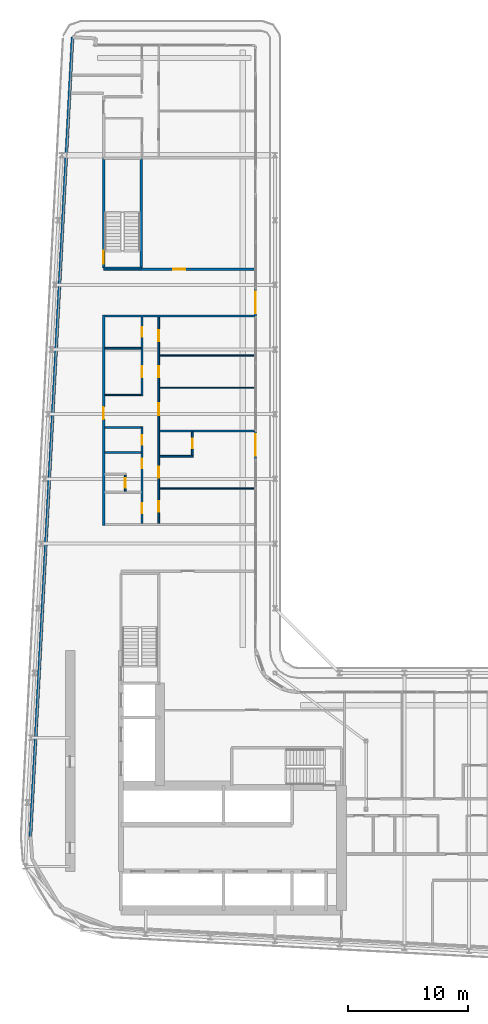
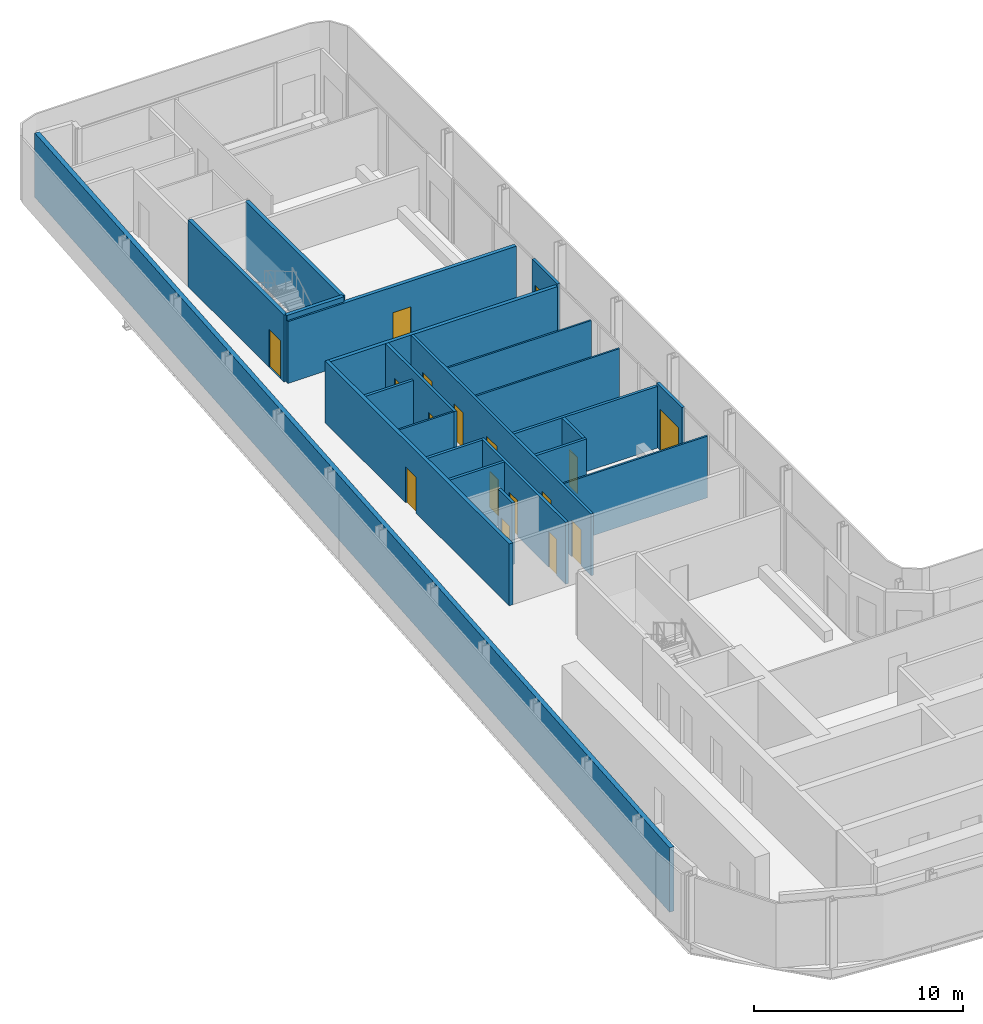
# One storey, part 18 of 28: 23 walls, 17 doors, 17 openings.
"""IFC4 building model written with IfcOpenShell, lengths in metres."""

from ifc_helpers import new_model, si_unit, direction, frame, frame_2d, origin, place, context, subcontext, project, spatial, rectangle, extrude, source, transform, mapped, material, layer, layer_set, type_object, element, fill, save


model = new_model("IFC4")

# Units and contexts
model_context = context("Model", 3, precision=1e-05, world=origin(), true_north=direction((0.0, 1.0)))
body_context = subcontext(model_context, "Body", "Model", "MODEL_VIEW")
ifc_project = project(units=[si_unit("LENGTHUNIT", "METRE"), si_unit("AREAUNIT", "SQUARE_METRE"), si_unit("VOLUMEUNIT", "CUBIC_METRE"), si_unit("PLANEANGLEUNIT", "RADIAN"), si_unit("MASSUNIT", "GRAM", prefix="KILO")], contexts=[model_context])

# Site, building, storey
site_placement = place(None, origin())
site = spatial("IfcSite", under=ifc_project, at=site_placement, CompositionType="ELEMENT")
building_placement = place(site_placement, origin())
building = spatial("IfcBuilding", under=site, at=building_placement, Name="Kheshtan School and Residences Tower", CompositionType="ELEMENT")
storey_placement = place(building_placement, frame((0.0, 0.0, 191.60009765625)))
storey = spatial("IfcBuildingStorey", under=building, at=storey_placement, Name="L45", CompositionType="ELEMENT", Elevation=191.60009765625)

# Wall, opening, door
ifc_material_1 = material(Name="Gypsum board on steel studs with fire boards", Category="steel")
ifc_layer_1 = layer(ifc_material_1, 0.199951171875)
ifc_layer_set_1 = layer_set([ifc_layer_1], Name="Corridor wall 200")
wall_type_1 = type_object("IfcWallType", Name="Corridor wall 200", PredefinedType="PARTITIONING", material=ifc_layer_set_1)
wall_1_placement = place(storey_placement, frame((33.300048828125, 57.89990234375, 0.0), z_axis=(0.0, 0.0, 1.0), x_axis=(0.0, 1.0, 0.0)))
wall_1 = element("IfcWall", 1, at=wall_1_placement, inside=storey, type_object=wall_type_1, Name="Partition L45-003", PredefinedType="PARTITIONING", context=body_context, shape_type="SweptSolid", body=[
    extrude(rectangle(XDim=17.60009765625, YDim=0.199951171875, at=frame_2d((8.800048828125, 0.0))), origin(), (0.0, 0.0, 1.0), 3.599853515625),
])
opening_1_placement = place(wall_1_placement, frame((8.89990234375, 0.0, 0.0)))
opening_1 = element("IfcOpeningElement", 2, at=opening_1_placement, cuts=wall_1, Name="Opening D43-039", PredefinedType="OPENING", context=body_context, shape_type="SweptSolid", body=[
    extrude(rectangle(XDim=1.0, YDim=2.10009765625, at=frame_2d((0.5, 1.050048828125))), frame((0.0, 0.10986328125, 0.0), z_axis=(0.0, -1.0, 0.0), x_axis=(1.0, 0.0, 0.0)), (0.0, 0.0, 1.0), 0.219970703125),
])
ifc_material_2 = material(Name="Steel-framed fire-resisting door leaf", Category="steel")
door_type_1 = type_object("IfcDoorType", Name="Fire door FD30S 1000 x 2100", OperationType="SINGLE_SWING_LEFT", PredefinedType="DOOR", material=ifc_material_2)
shared_shape_1 = source(origin(), body_context, "Body", "SweptSolid", [
    extrude(rectangle(XDim=1.0, YDim=2.10009765625, at=frame_2d((0.5, 1.050048828125))), frame((0.0, 0.02490234375, 0.0), z_axis=(0.0, -1.0, 0.0), x_axis=(1.0, 0.0, 0.0)), (0.0, 0.0, 1.0), 0.050048828125),
])
door_1_placement = place(opening_1_placement, origin())
door_1 = element("IfcDoor", 3, at=door_1_placement, inside=storey, type_object=door_type_1, Name="Door D43-039", OperationType="SINGLE_SWING_RIGHT", OverallHeight=2.10009765625, OverallWidth=1.0, PredefinedType="DOOR", context=body_context, shape_type="MappedRepresentation", body=[
    mapped(shared_shape_1, transform((0.0, 0.0, 0.0), x_axis=(1.0, 0.0, 0.0), y_axis=(0.0, 1.0, 0.0), z_axis=(0.0, 0.0, 1.0), scale=1.0)),
])
fill(opening_1, door_1)

wall_2_placement = place(storey_placement, frame((33.300048828125, 79.300048828125, 0.0), z_axis=(0.0, 0.0, 1.0), x_axis=(1.0, 0.0, 0.0)))
wall_2 = element("IfcWall", 4, at=wall_2_placement, inside=storey, type_object=wall_type_1, Name="Partition L45-004", PredefinedType="PARTITIONING", context=body_context, shape_type="SweptSolid", body=[
    extrude(rectangle(XDim=12.599853515625, YDim=0.199951171875, at=frame_2d((6.2998046875, 0.0))), origin(), (0.0, 0.0, 1.0), 3.599853515625),
])
opening_2_placement = place(wall_2_placement, frame((5.794921875, 0.0, 0.0)))
opening_2 = element("IfcOpeningElement", 5, at=opening_2_placement, cuts=wall_2, Name="Opening D43-056", PredefinedType="OPENING", context=body_context, shape_type="SweptSolid", body=[
    extrude(rectangle(XDim=1.0, YDim=2.10009765625, at=frame_2d((0.5, 1.050048828125))), frame((0.0, 0.10986328125, 0.0), z_axis=(0.0, -1.0, 0.0), x_axis=(1.0, 0.0, 0.0)), (0.0, 0.0, 1.0), 0.219970703125),
])
door_type_2 = type_object("IfcDoorType", Name="Fire door FD60 1000 x 2100", OperationType="SINGLE_SWING_LEFT", PredefinedType="DOOR", material=ifc_material_2)
shared_shape_2 = source(origin(), body_context, "Body", "SweptSolid", [
    extrude(rectangle(XDim=1.0, YDim=2.10009765625, at=frame_2d((0.5, 1.050048828125))), frame((0.0, 0.02490234375, 0.0), z_axis=(0.0, -1.0, 0.0), x_axis=(1.0, 0.0, 0.0)), (0.0, 0.0, 1.0), 0.050048828125),
])
door_2_placement = place(opening_2_placement, origin())
door_2 = element("IfcDoor", 6, at=door_2_placement, inside=storey, type_object=door_type_2, Name="Door D43-056", OperationType="SINGLE_SWING_RIGHT", OverallHeight=2.10009765625, OverallWidth=1.0, PredefinedType="DOOR", context=body_context, shape_type="MappedRepresentation", body=[
    mapped(shared_shape_2, transform((0.0, 0.0, 0.0), x_axis=(1.0, 0.0, 0.0), y_axis=(0.0, 1.0, 0.0), z_axis=(0.0, 0.0, 1.0), scale=1.0)),
])
fill(opening_2, door_2)

# Walls
wall_3_placement = place(storey_placement, frame((33.39990234375, 75.39990234375, 0.0), z_axis=(0.0, 0.0, 1.0), x_axis=(1.0, 0.0, 0.0)))
element("IfcWall", 7, at=wall_3_placement, inside=storey, type_object=wall_type_1, Name="Partition L45-013", PredefinedType="PARTITIONING", context=body_context, shape_type="SweptSolid", body=[
    extrude(rectangle(XDim=12.5, YDim=0.199951171875, at=frame_2d((6.25, 0.0))), origin(), (0.0, 0.0, 1.0), 3.599853515625),
])
ifc_material_3 = material(Name="Concrete C40/50 with ceramic cladding and mineral wool insulation", Category="concrete")
ifc_layer_2 = layer(ifc_material_3, 0.25)
ifc_layer_set_2 = layer_set([ifc_layer_2], Name="External wall 250 ceramic clad")
wall_type_2 = type_object("IfcWallType", Name="External wall 250 ceramic clad", PredefinedType="SOLIDWALL", material=ifc_layer_set_2)
wall_4_placement = place(storey_placement, frame((27.195068359375, 31.968994140625, 0.0), z_axis=(0.0, 0.0, 1.0), x_axis=(0.052554995867, 0.998618031286, 0.0)))
element("IfcWall", 8, at=wall_4_placement, inside=storey, type_object=wall_type_2, Name="External wall L45 4", PredefinedType="SOLIDWALL", context=body_context, shape_type="SweptSolid", body=[
    extrude(rectangle(XDim=66.787353515625, YDim=0.25, at=frame_2d((33.3935546875, 0.0))), origin(), (0.0, 0.0, 1.0), 3.75),
])

# Wall, opening, door
ifc_material_4 = material(Name="Aluminium frame wall with insulated infill", Category="aluminium")
ifc_layer_3 = layer(ifc_material_4, 0.14990234375)
ifc_layer_set_3 = layer_set([ifc_layer_3], Name="Glazing frame wall 150")
wall_type_3 = type_object("IfcWallType", Name="Glazing frame wall 150", PredefinedType="SOLIDWALL", material=ifc_layer_set_3)
wall_5_placement = place(storey_placement, frame((45.97509765625, 77.7119140625, 0.0), z_axis=(0.0, 0.0, 1.0), x_axis=(0.0, -1.0, 0.0)))
wall_5 = element("IfcWall", 9, at=wall_5_placement, inside=storey, type_object=wall_type_3, Name="Balcony door wall L45 8.3", PredefinedType="SOLIDWALL", context=body_context, shape_type="SweptSolid", body=[
    extrude(rectangle(XDim=2.39990234375, YDim=0.14990234375, at=frame_2d((1.199951171875, 0.0))), origin(), (0.0, 0.0, 1.0), 3.75),
])
opening_3_placement = place(wall_5_placement, frame((0.300048828125, 0.0, 0.0)))
opening_3 = element("IfcOpeningElement", 10, at=opening_3_placement, cuts=wall_5, Name="Opening BD", PredefinedType="OPENING", context=body_context, shape_type="SweptSolid", body=[
    extrude(rectangle(XDim=1.800048828125, YDim=2.39990234375, at=frame_2d((0.89990234375, 1.199951171875))), frame((0.0, 0.0849609375, 0.0), z_axis=(0.0, -1.0, 0.0), x_axis=(1.0, 0.0, 0.0)), (0.0, 0.0, 1.0), 0.169921875),
])
ifc_material_5 = material(Name="Clear low-e glass in thermally broken aluminium frame", Category="aluminium")
door_type_3 = type_object("IfcDoorType", Name="Balcony sliding door", OperationType="SLIDING_TO_LEFT", PredefinedType="DOOR", material=ifc_material_5)
shared_shape_3 = source(origin(), body_context, "Body", "SweptSolid", [
    extrude(rectangle(XDim=1.800048828125, YDim=2.39990234375, at=frame_2d((0.89990234375, 1.199951171875))), frame((0.0, 0.02490234375, 0.0), z_axis=(0.0, -1.0, 0.0), x_axis=(1.0, 0.0, 0.0)), (0.0, 0.0, 1.0), 0.050048828125),
])
door_3_placement = place(opening_3_placement, origin())
door_3 = element("IfcDoor", 11, at=door_3_placement, inside=storey, type_object=door_type_3, Name="Balcony door L45 8.3", OperationType="SLIDING_TO_LEFT", OverallHeight=2.39990234375, OverallWidth=1.800048828125, PredefinedType="DOOR", context=body_context, shape_type="MappedRepresentation", body=[
    mapped(shared_shape_3, transform((0.0, 0.0, 0.0), x_axis=(1.0, 0.0, 0.0), y_axis=(0.0, 1.0, 0.0), z_axis=(0.0, 0.0, 1.0), scale=1.0)),
])
fill(opening_3, door_3)

wall_6_placement = place(storey_placement, frame((45.97509765625, 65.818115234375, 0.0), z_axis=(0.0, 0.0, 1.0), x_axis=(0.0, -1.0, 0.0)))
wall_6 = element("IfcWall", 12, at=wall_6_placement, inside=storey, type_object=wall_type_3, Name="Balcony door wall L45 8.4", PredefinedType="SOLIDWALL", context=body_context, shape_type="SweptSolid", body=[
    extrude(rectangle(XDim=2.400146484375, YDim=0.14990234375, at=frame_2d((1.2001953125, 0.0))), origin(), (0.0, 0.0, 1.0), 3.75),
])
opening_4_placement = place(wall_6_placement, frame((0.300048828125, 0.0, 0.0)))
opening_4 = element("IfcOpeningElement", 13, at=opening_4_placement, cuts=wall_6, Name="Opening BD", PredefinedType="OPENING", context=body_context, shape_type="SweptSolid", body=[
    extrude(rectangle(XDim=1.800048828125, YDim=2.39990234375, at=frame_2d((0.89990234375, 1.199951171875))), frame((0.0, 0.0849609375, 0.0), z_axis=(0.0, -1.0, 0.0), x_axis=(1.0, 0.0, 0.0)), (0.0, 0.0, 1.0), 0.169921875),
])
door_4_placement = place(opening_4_placement, origin())
door_4 = element("IfcDoor", 14, at=door_4_placement, inside=storey, type_object=door_type_3, Name="Balcony door L45 8.4", OperationType="SLIDING_TO_LEFT", OverallHeight=2.39990234375, OverallWidth=1.800048828125, PredefinedType="DOOR", context=body_context, shape_type="MappedRepresentation", body=[
    mapped(shared_shape_3, transform((0.0, 0.0, 0.0), x_axis=(1.0, 0.0, 0.0), y_axis=(0.0, 1.0, 0.0), z_axis=(0.0, 0.0, 1.0), scale=1.0)),
])
fill(opening_4, door_4)

# Walls
ifc_material_6 = material(Name="Gypsum board on steel studs", Category="steel")
ifc_layer_4 = layer(ifc_material_6, 0.10009765625)
ifc_layer_set_4 = layer_set([ifc_layer_4], Name="Gypsum partition 100")
wall_type_4 = type_object("IfcWallType", Name="Gypsum partition 100", PredefinedType="PARTITIONING", material=ifc_layer_set_4)
wall_7_placement = place(storey_placement, frame((33.39990234375, 68.800048828125, 0.0), z_axis=(0.0, 0.0, 1.0), x_axis=(1.0, 0.0, 0.0)))
element("IfcWall", 15, at=wall_7_placement, inside=storey, type_object=wall_type_4, Name="Partition L45-011", PredefinedType="PARTITIONING", context=body_context, shape_type="SweptSolid", body=[
    extrude(rectangle(XDim=3.025146484375, YDim=0.10009765625, at=frame_2d((1.5126953125, 0.0))), origin(), (0.0, 0.0, 1.0), 3.599853515625),
])
for number, where, z_axis, x_axis, name in (
    (16, (37.97509765625, 61.0, 0.0), (0.0, 0.0, 1.0), (1.0, 0.0, 0.0), "Partition L45-026"),
    (17, (37.97509765625, 69.39990234375, 0.0), (0.0, 0.0, 1.0), (1.0, 0.0, 0.0), "Partition L45-029"),
    (18, (37.97509765625, 72.10009765625, 0.0), (0.0, 0.0, 1.0), (1.0, 0.0, 0.0), "Partition L45-030"),
):
    element("IfcWall", number, at=place(storey_placement, frame(where, z_axis=z_axis, x_axis=x_axis)), inside=storey, type_object=wall_type_4, Name=name, PredefinedType="PARTITIONING", context=body_context, shape_type="SweptSolid", body=[
        extrude(rectangle(XDim=7.9248046875, YDim=0.10009765625, at=frame_2d((3.96240234375, 0.0))), origin(), (0.0, 0.0, 1.0), 3.599853515625),
    ])
ifc_material_7 = material(Name="Concrete C40/50", Category="concrete")
ifc_layer_5 = layer(ifc_material_7, 0.199951171875)
ifc_layer_set_5 = layer_set([ifc_layer_5], Name="Stair enclosure wall 200 Concrete C40/50")
wall_type_5 = type_object("IfcWallType", Name="Stair enclosure wall 200 Concrete C40/50", PredefinedType="SHEAR", material=ifc_layer_set_5)
wall_8_placement = place(storey_placement, frame((33.300048828125, 79.39990234375, 0.0), z_axis=(0.0, 0.0, 1.0), x_axis=(1.0, 0.0, 0.0)))
element("IfcWall", 19, at=wall_8_placement, inside=storey, type_object=wall_type_5, Name="Stair enclosure wall ST3", PredefinedType="SHEAR", context=body_context, shape_type="SweptSolid", body=[
    extrude(rectangle(XDim=3.14990234375, YDim=0.199951171875, at=frame_2d((1.574951171875, 0.0))), origin(), (0.0, 0.0, 1.0), 3.89990234375),
])

# Wall, opening, door
wall_9_placement = place(storey_placement, frame((33.300048828125, 79.39990234375, 0.0), z_axis=(0.0, 0.0, 1.0), x_axis=(0.0, 1.0, 0.0)))
wall_9 = element("IfcWall", 20, at=wall_9_placement, inside=storey, type_object=wall_type_5, Name="Stair enclosure wall ST3", PredefinedType="SHEAR", context=body_context, shape_type="SweptSolid", body=[
    extrude(rectangle(XDim=9.16015625, YDim=0.199951171875, at=frame_2d((4.580078125, 0.0))), origin(), (0.0, 0.0, 1.0), 3.89990234375),
])
opening_5_placement = place(wall_9_placement, frame((0.35009765625, 0.0, 0.0)))
opening_5 = element("IfcOpeningElement", 21, at=opening_5_placement, cuts=wall_9, Name="Opening ST3D", PredefinedType="OPENING", context=body_context, shape_type="SweptSolid", body=[
    extrude(rectangle(XDim=1.10009765625, YDim=2.199951171875, at=frame_2d((0.550048828125, 1.10009765625))), frame((0.0, 0.10986328125, 0.0), z_axis=(0.0, -1.0, 0.0), x_axis=(1.0, 0.0, 0.0)), (0.0, 0.0, 1.0), 0.219970703125),
])
ifc_material_8 = material(Name="Steel door leaf, galvanised", Category="steel")
door_type_4 = type_object("IfcDoorType", Name="Stair door 1100 steel 90 min", OperationType="SINGLE_SWING_LEFT", PredefinedType="DOOR", material=ifc_material_8)
shared_shape_4 = source(origin(), body_context, "Body", "SweptSolid", [
    extrude(rectangle(XDim=1.10009765625, YDim=2.199951171875, at=frame_2d((0.550048828125, 1.10009765625))), frame((0.0, 0.02490234375, 0.0), z_axis=(0.0, -1.0, 0.0), x_axis=(1.0, 0.0, 0.0)), (0.0, 0.0, 1.0), 0.050048828125),
])
door_5_placement = place(opening_5_placement, origin())
door_5 = element("IfcDoor", 22, at=door_5_placement, inside=storey, type_object=door_type_4, Name="Stair ST3 door", OperationType="SINGLE_SWING_RIGHT", OverallHeight=2.199951171875, OverallWidth=1.10009765625, PredefinedType="DOOR", context=body_context, shape_type="MappedRepresentation", body=[
    mapped(shared_shape_4, transform((0.0, 0.0, 0.0), x_axis=(1.0, 0.0, 0.0), y_axis=(0.0, 1.0, 0.0), z_axis=(0.0, 0.0, 1.0), scale=1.0)),
])
fill(opening_5, door_5)

# Walls
wall_10_placement = place(storey_placement, frame((36.449951171875, 79.39990234375, 0.0), z_axis=(0.0, 0.0, 1.0), x_axis=(0.0, 1.0, 0.0)))
element("IfcWall", 23, at=wall_10_placement, inside=storey, type_object=wall_type_5, Name="Stair enclosure wall ST3", PredefinedType="SHEAR", context=body_context, shape_type="SweptSolid", body=[
    extrude(rectangle(XDim=9.16015625, YDim=0.199951171875, at=frame_2d((4.580078125, 0.0))), origin(), (0.0, 0.0, 1.0), 3.89990234375),
])
ifc_material_9 = material(Name="Moisture-resistant gypsum board on steel studs", Category="steel")
ifc_layer_6 = layer(ifc_material_9, 0.14990234375)
ifc_layer_set_6 = layer_set([ifc_layer_6], Name="Wet-room partition 150")
wall_type_6 = type_object("IfcWallType", Name="Wet-room partition 150", PredefinedType="PARTITIONING", material=ifc_layer_set_6)
for number, where, z_axis, x_axis, name in (
    (24, (33.39990234375, 64.0, 0.0), (0.0, 0.0, 1.0), (1.0, 0.0, 0.0), "Partition L45-009"),
    (25, (33.39990234375, 66.10009765625, 0.0), (0.0, 0.0, 1.0), (1.0, 0.0, 0.0), "Partition L45-010"),
):
    element("IfcWall", number, at=place(storey_placement, frame(where, z_axis=z_axis, x_axis=x_axis)), inside=storey, type_object=wall_type_6, Name=name, PredefinedType="PARTITIONING", context=body_context, shape_type="SweptSolid", body=[
        extrude(rectangle(XDim=3.025146484375, YDim=0.14990234375, at=frame_2d((1.5126953125, 0.0))), origin(), (0.0, 0.0, 1.0), 3.599853515625),
    ])
wall_11_placement = place(storey_placement, frame((33.39990234375, 72.699951171875, 0.0), z_axis=(0.0, 0.0, 1.0), x_axis=(1.0, 0.0, 0.0)))
element("IfcWall", 26, at=wall_11_placement, inside=storey, type_object=wall_type_6, Name="Partition L45-012", PredefinedType="PARTITIONING", context=body_context, shape_type="SweptSolid", body=[
    extrude(rectangle(XDim=3.025146484375, YDim=0.14990234375, at=frame_2d((1.5126953125, 0.0))), origin(), (0.0, 0.0, 1.0), 3.072021484375),
])

# Wall, opening, door
wall_12_placement = place(storey_placement, frame((35.10009765625, 60.77490234375, 0.0), z_axis=(0.0, 0.0, 1.0), x_axis=(0.0, 1.0, 0.0)))
wall_12 = element("IfcWall", 27, at=wall_12_placement, inside=storey, type_object=wall_type_6, Name="Partition L45-017", PredefinedType="PARTITIONING", context=body_context, shape_type="SweptSolid", body=[
    extrude(rectangle(XDim=1.35009765625, YDim=0.14990234375, at=frame_2d((0.675048828125, 0.0))), origin(), (0.0, 0.0, 1.0), 3.599853515625),
])
opening_6_placement = place(wall_12_placement, frame((0.27490234375, 0.0, 0.0)))
opening_6 = element("IfcOpeningElement", 28, at=opening_6_placement, cuts=wall_12, Name="Opening D43-043", PredefinedType="OPENING", context=body_context, shape_type="SweptSolid", body=[
    extrude(rectangle(XDim=0.800048828125, YDim=2.10009765625, at=frame_2d((0.39990234375, 1.050048828125))), frame((0.0, 0.0849609375, 0.0), z_axis=(0.0, -1.0, 0.0), x_axis=(1.0, 0.0, 0.0)), (0.0, 0.0, 1.0), 0.169921875),
])
ifc_material_10 = material(Name="Veneered timber door leaf", Category="wood")
door_type_5 = type_object("IfcDoorType", Name="Door 800 x 2100", OperationType="SINGLE_SWING_LEFT", PredefinedType="DOOR", material=ifc_material_10)
shared_shape_5 = source(origin(), body_context, "Body", "SweptSolid", [
    extrude(rectangle(XDim=0.800048828125, YDim=2.10009765625, at=frame_2d((0.39990234375, 1.050048828125))), frame((0.0, 0.02490234375, 0.0), z_axis=(0.0, -1.0, 0.0), x_axis=(1.0, 0.0, 0.0)), (0.0, 0.0, 1.0), 0.050048828125),
])
door_6_placement = place(opening_6_placement, origin())
door_6 = element("IfcDoor", 29, at=door_6_placement, inside=storey, type_object=door_type_5, Name="Door D43-043", OperationType="SINGLE_SWING_LEFT", OverallHeight=2.10009765625, OverallWidth=0.800048828125, PredefinedType="DOOR", context=body_context, shape_type="MappedRepresentation", body=[
    mapped(shared_shape_5, transform((0.0, 0.0, 0.0), x_axis=(1.0, 0.0, 0.0), y_axis=(0.0, 1.0, 0.0), z_axis=(0.0, 0.0, 1.0), scale=1.0)),
])
fill(opening_6, door_6)

# Wall, openings, doors
wall_13_placement = place(storey_placement, frame((36.5, 58.10009765625, 0.0), z_axis=(0.0, 0.0, 1.0), x_axis=(0.0, 1.0, 0.0)))
wall_13 = element("IfcWall", 30, at=wall_13_placement, inside=storey, type_object=wall_type_6, Name="Partition L45-019", PredefinedType="PARTITIONING", context=body_context, shape_type="SweptSolid", body=[
    extrude(rectangle(XDim=8.074951171875, YDim=0.14990234375, at=frame_2d((4.03759765625, 0.0))), origin(), (0.0, 0.0, 1.0), 3.599853515625),
])
opening_7_placement = place(wall_13_placement, frame((0.85009765625, 0.0, 0.0)))
opening_7 = element("IfcOpeningElement", 31, at=opening_7_placement, cuts=wall_13, Name="Opening D43-034", PredefinedType="OPENING", context=body_context, shape_type="SweptSolid", body=[
    extrude(rectangle(XDim=0.800048828125, YDim=2.10009765625, at=frame_2d((0.39990234375, 1.050048828125))), frame((0.0, 0.0849609375, 0.0), z_axis=(0.0, -1.0, 0.0), x_axis=(1.0, 0.0, 0.0)), (0.0, 0.0, 1.0), 0.169921875),
])
opening_8_placement = place(wall_13_placement, frame((4.60009765625, 0.0, 0.0)))
opening_8 = element("IfcOpeningElement", 32, at=opening_8_placement, cuts=wall_13, Name="Opening D43-042", PredefinedType="OPENING", context=body_context, shape_type="SweptSolid", body=[
    extrude(rectangle(XDim=0.800048828125, YDim=2.10009765625, at=frame_2d((0.39990234375, 1.050048828125))), frame((0.0, 0.0849609375, 0.0), z_axis=(0.0, -1.0, 0.0), x_axis=(1.0, 0.0, 0.0)), (0.0, 0.0, 1.0), 0.169921875),
])
opening_9_placement = place(wall_13_placement, frame((6.550048828125, 0.0, 0.0)))
opening_9 = element("IfcOpeningElement", 33, at=opening_9_placement, cuts=wall_13, Name="Opening D43-046", PredefinedType="OPENING", context=body_context, shape_type="SweptSolid", body=[
    extrude(rectangle(XDim=0.800048828125, YDim=2.10009765625, at=frame_2d((0.39990234375, 1.050048828125))), frame((0.0, 0.0849609375, 0.0), z_axis=(0.0, -1.0, 0.0), x_axis=(1.0, 0.0, 0.0)), (0.0, 0.0, 1.0), 0.169921875),
])
door_7_placement = place(opening_7_placement, origin())
door_7 = element("IfcDoor", 34, at=door_7_placement, inside=storey, type_object=door_type_5, Name="Door D43-034", OperationType="SINGLE_SWING_RIGHT", OverallHeight=2.10009765625, OverallWidth=0.800048828125, PredefinedType="DOOR", context=body_context, shape_type="MappedRepresentation", body=[
    mapped(shared_shape_5, transform((0.0, 0.0, 0.0), x_axis=(1.0, 0.0, 0.0), y_axis=(0.0, 1.0, 0.0), z_axis=(0.0, 0.0, 1.0), scale=1.0)),
])
fill(opening_7, door_7)
door_8_placement = place(opening_8_placement, origin())
door_8 = element("IfcDoor", 35, at=door_8_placement, inside=storey, type_object=door_type_5, Name="Door D43-042", OperationType="SINGLE_SWING_RIGHT", OverallHeight=2.10009765625, OverallWidth=0.800048828125, PredefinedType="DOOR", context=body_context, shape_type="MappedRepresentation", body=[
    mapped(shared_shape_5, transform((0.0, 0.0, 0.0), x_axis=(1.0, 0.0, 0.0), y_axis=(0.0, 1.0, 0.0), z_axis=(0.0, 0.0, 1.0), scale=1.0)),
])
fill(opening_8, door_8)
door_9_placement = place(opening_9_placement, origin())
door_9 = element("IfcDoor", 36, at=door_9_placement, inside=storey, type_object=door_type_5, Name="Door D43-046", OperationType="SINGLE_SWING_RIGHT", OverallHeight=2.10009765625, OverallWidth=0.800048828125, PredefinedType="DOOR", context=body_context, shape_type="MappedRepresentation", body=[
    mapped(shared_shape_5, transform((0.0, 0.0, 0.0), x_axis=(1.0, 0.0, 0.0), y_axis=(0.0, 1.0, 0.0), z_axis=(0.0, 0.0, 1.0), scale=1.0)),
])
fill(opening_9, door_9)

wall_14_placement = place(storey_placement, frame((36.5, 68.75, 0.0), z_axis=(0.0, 0.0, 1.0), x_axis=(0.0, 1.0, 0.0)))
wall_14 = element("IfcWall", 37, at=wall_14_placement, inside=storey, type_object=wall_type_6, Name="Partition L45-020", PredefinedType="PARTITIONING", context=body_context, shape_type="SweptSolid", body=[
    extrude(rectangle(XDim=6.550048828125, YDim=0.14990234375, at=frame_2d((3.27490234375, 0.0))), origin(), (0.0, 0.0, 1.0), 3.599853515625),
])
opening_10_placement = place(wall_14_placement, frame((4.89990234375, 0.0, 0.0)))
opening_10 = element("IfcOpeningElement", 38, at=opening_10_placement, cuts=wall_14, Name="Opening D43-035", PredefinedType="OPENING", context=body_context, shape_type="SweptSolid", body=[
    extrude(rectangle(XDim=0.800048828125, YDim=2.10009765625, at=frame_2d((0.39990234375, 1.050048828125))), frame((0.0, 0.0849609375, 0.0), z_axis=(0.0, -1.0, 0.0), x_axis=(1.0, 0.0, 0.0)), (0.0, 0.0, 1.0), 0.169921875),
])
opening_11_placement = place(wall_14_placement, frame((1.550048828125, 0.0, 0.0)))
opening_11 = element("IfcOpeningElement", 39, at=opening_11_placement, cuts=wall_14, Name="Opening D43-040", PredefinedType="OPENING", context=body_context, shape_type="SweptSolid", body=[
    extrude(rectangle(XDim=0.89990234375, YDim=2.10009765625, at=frame_2d((0.449951171875, 1.050048828125))), frame((0.0, 0.0849609375, 0.0), z_axis=(0.0, -1.0, 0.0), x_axis=(1.0, 0.0, 0.0)), (0.0, 0.0, 1.0), 0.169921875),
])
door_10_placement = place(opening_10_placement, origin())
door_10 = element("IfcDoor", 40, at=door_10_placement, inside=storey, type_object=door_type_5, Name="Door D43-035", OperationType="SINGLE_SWING_LEFT", OverallHeight=2.10009765625, OverallWidth=0.800048828125, PredefinedType="DOOR", context=body_context, shape_type="MappedRepresentation", body=[
    mapped(shared_shape_5, transform((0.0, 0.0, 0.0), x_axis=(1.0, 0.0, 0.0), y_axis=(0.0, 1.0, 0.0), z_axis=(0.0, 0.0, 1.0), scale=1.0)),
])
fill(opening_10, door_10)
door_type_6 = type_object("IfcDoorType", Name="Door 900 x 2100", OperationType="SINGLE_SWING_LEFT", PredefinedType="DOOR", material=ifc_material_10)
shared_shape_6 = source(origin(), body_context, "Body", "SweptSolid", [
    extrude(rectangle(XDim=0.89990234375, YDim=2.10009765625, at=frame_2d((0.449951171875, 1.050048828125))), frame((0.0, 0.02490234375, 0.0), z_axis=(0.0, -1.0, 0.0), x_axis=(1.0, 0.0, 0.0)), (0.0, 0.0, 1.0), 0.050048828125),
])
door_11_placement = place(opening_11_placement, origin())
door_11 = element("IfcDoor", 41, at=door_11_placement, inside=storey, type_object=door_type_6, Name="Door D43-040", OperationType="SINGLE_SWING_RIGHT", OverallHeight=2.10009765625, OverallWidth=0.89990234375, PredefinedType="DOOR", context=body_context, shape_type="MappedRepresentation", body=[
    mapped(shared_shape_6, transform((0.0, 0.0, 0.0), x_axis=(1.0, 0.0, 0.0), y_axis=(0.0, 1.0, 0.0), z_axis=(0.0, 0.0, 1.0), scale=1.0)),
])
fill(opening_11, door_11)

wall_15_placement = place(storey_placement, frame((37.89990234375, 58.10009765625, 0.0), z_axis=(0.0, 0.0, 1.0), x_axis=(0.0, 1.0, 0.0)))
wall_15 = element("IfcWall", 42, at=wall_15_placement, inside=storey, type_object=wall_type_6, Name="Partition L45-023", PredefinedType="PARTITIONING", context=body_context, shape_type="SweptSolid", body=[
    extrude(rectangle(XDim=17.199951171875, YDim=0.14990234375, at=frame_2d((8.60009765625, 0.0))), origin(), (0.0, 0.0, 1.0), 3.599853515625),
])
opening_12_placement = place(wall_15_placement, frame((0.949951171875, 0.0, 0.0)))
opening_12 = element("IfcOpeningElement", 43, at=opening_12_placement, cuts=wall_15, Name="Opening D43-036", PredefinedType="OPENING", context=body_context, shape_type="SweptSolid", body=[
    extrude(rectangle(XDim=0.89990234375, YDim=2.10009765625, at=frame_2d((0.449951171875, 1.050048828125))), frame((0.0, 0.0849609375, 0.0), z_axis=(0.0, -1.0, 0.0), x_axis=(1.0, 0.0, 0.0)), (0.0, 0.0, 1.0), 0.169921875),
])
opening_13_placement = place(wall_15_placement, frame((15.199951171875, 0.0, 0.0)))
opening_13 = element("IfcOpeningElement", 44, at=opening_13_placement, cuts=wall_15, Name="Opening D43-037", PredefinedType="OPENING", context=body_context, shape_type="SweptSolid", body=[
    extrude(rectangle(XDim=0.89990234375, YDim=2.10009765625, at=frame_2d((0.449951171875, 1.050048828125))), frame((0.0, 0.0849609375, 0.0), z_axis=(0.0, -1.0, 0.0), x_axis=(1.0, 0.0, 0.0)), (0.0, 0.0, 1.0), 0.169921875),
])
opening_14_placement = place(wall_15_placement, frame((9.0, 0.0, 0.0)))
opening_14 = element("IfcOpeningElement", 45, at=opening_14_placement, cuts=wall_15, Name="Opening D43-041", PredefinedType="OPENING", context=body_context, shape_type="SweptSolid", body=[
    extrude(rectangle(XDim=1.0, YDim=2.10009765625, at=frame_2d((0.5, 1.050048828125))), frame((0.0, 0.0849609375, 0.0), z_axis=(0.0, -1.0, 0.0), x_axis=(1.0, 0.0, 0.0)), (0.0, 0.0, 1.0), 0.169921875),
])
opening_15_placement = place(wall_15_placement, frame((12.199951171875, 0.0, 0.0)))
opening_15 = element("IfcOpeningElement", 46, at=opening_15_placement, cuts=wall_15, Name="Opening D43-044", PredefinedType="OPENING", context=body_context, shape_type="SweptSolid", body=[
    extrude(rectangle(XDim=0.89990234375, YDim=2.10009765625, at=frame_2d((0.449951171875, 1.050048828125))), frame((0.0, 0.0849609375, 0.0), z_axis=(0.0, -1.0, 0.0), x_axis=(1.0, 0.0, 0.0)), (0.0, 0.0, 1.0), 0.169921875),
])
opening_16_placement = place(wall_15_placement, frame((3.800048828125, 0.0, 0.0)))
opening_16 = element("IfcOpeningElement", 47, at=opening_16_placement, cuts=wall_15, Name="Opening D43-045", PredefinedType="OPENING", context=body_context, shape_type="SweptSolid", body=[
    extrude(rectangle(XDim=0.89990234375, YDim=2.10009765625, at=frame_2d((0.449951171875, 1.050048828125))), frame((0.0, 0.0849609375, 0.0), z_axis=(0.0, -1.0, 0.0), x_axis=(1.0, 0.0, 0.0)), (0.0, 0.0, 1.0), 0.169921875),
])
door_type_7 = type_object("IfcDoorType", Name="Door 1000 x 2100", OperationType="SINGLE_SWING_LEFT", PredefinedType="DOOR", material=ifc_material_10)
shared_shape_7 = source(origin(), body_context, "Body", "SweptSolid", [
    extrude(rectangle(XDim=1.0, YDim=2.10009765625, at=frame_2d((0.5, 1.050048828125))), frame((0.0, 0.02490234375, 0.0), z_axis=(0.0, -1.0, 0.0), x_axis=(1.0, 0.0, 0.0)), (0.0, 0.0, 1.0), 0.050048828125),
])
door_12_placement = place(opening_14_placement, origin())
door_12 = element("IfcDoor", 48, at=door_12_placement, inside=storey, type_object=door_type_7, Name="Door D43-041", OperationType="SINGLE_SWING_LEFT", OverallHeight=2.10009765625, OverallWidth=1.0, PredefinedType="DOOR", context=body_context, shape_type="MappedRepresentation", body=[
    mapped(shared_shape_7, transform((0.0, 0.0, 0.0), x_axis=(1.0, 0.0, 0.0), y_axis=(0.0, 1.0, 0.0), z_axis=(0.0, 0.0, 1.0), scale=1.0)),
])
fill(opening_14, door_12)
door_13_placement = place(opening_12_placement, origin())
door_13 = element("IfcDoor", 49, at=door_13_placement, inside=storey, type_object=door_type_6, Name="Door D43-036", OperationType="SINGLE_SWING_LEFT", OverallHeight=2.10009765625, OverallWidth=0.89990234375, PredefinedType="DOOR", context=body_context, shape_type="MappedRepresentation", body=[
    mapped(shared_shape_6, transform((0.0, 0.0, 0.0), x_axis=(1.0, 0.0, 0.0), y_axis=(0.0, 1.0, 0.0), z_axis=(0.0, 0.0, 1.0), scale=1.0)),
])
fill(opening_12, door_13)
door_14_placement = place(opening_13_placement, origin())
door_14 = element("IfcDoor", 50, at=door_14_placement, inside=storey, type_object=door_type_6, Name="Door D43-037", OperationType="SINGLE_SWING_LEFT", OverallHeight=2.10009765625, OverallWidth=0.89990234375, PredefinedType="DOOR", context=body_context, shape_type="MappedRepresentation", body=[
    mapped(shared_shape_6, transform((0.0, 0.0, 0.0), x_axis=(1.0, 0.0, 0.0), y_axis=(0.0, 1.0, 0.0), z_axis=(0.0, 0.0, 1.0), scale=1.0)),
])
fill(opening_13, door_14)
door_15_placement = place(opening_15_placement, origin())
door_15 = element("IfcDoor", 51, at=door_15_placement, inside=storey, type_object=door_type_6, Name="Door D43-044", OperationType="SINGLE_SWING_LEFT", OverallHeight=2.10009765625, OverallWidth=0.89990234375, PredefinedType="DOOR", context=body_context, shape_type="MappedRepresentation", body=[
    mapped(shared_shape_6, transform((0.0, 0.0, 0.0), x_axis=(1.0, 0.0, 0.0), y_axis=(0.0, 1.0, 0.0), z_axis=(0.0, 0.0, 1.0), scale=1.0)),
])
fill(opening_15, door_15)
door_16_placement = place(opening_16_placement, origin())
door_16 = element("IfcDoor", 52, at=door_16_placement, inside=storey, type_object=door_type_6, Name="Door D43-045", OperationType="SINGLE_SWING_LEFT", OverallHeight=2.10009765625, OverallWidth=0.89990234375, PredefinedType="DOOR", context=body_context, shape_type="MappedRepresentation", body=[
    mapped(shared_shape_6, transform((0.0, 0.0, 0.0), x_axis=(1.0, 0.0, 0.0), y_axis=(0.0, 1.0, 0.0), z_axis=(0.0, 0.0, 1.0), scale=1.0)),
])
fill(opening_16, door_16)

# Walls
wall_16_placement = place(storey_placement, frame((37.97509765625, 63.699951171875, 0.0), z_axis=(0.0, 0.0, 1.0), x_axis=(1.0, 0.0, 0.0)))
element("IfcWall", 53, at=wall_16_placement, inside=storey, type_object=wall_type_6, Name="Partition L45-027", PredefinedType="PARTITIONING", context=body_context, shape_type="SweptSolid", body=[
    extrude(rectangle(XDim=2.7998046875, YDim=0.14990234375, at=frame_2d((1.39990234375, 0.0))), origin(), (0.0, 0.0, 1.0), 3.599853515625),
])
wall_17_placement = place(storey_placement, frame((37.97509765625, 65.800048828125, 0.0), z_axis=(0.0, 0.0, 1.0), x_axis=(1.0, 0.0, 0.0)))
element("IfcWall", 54, at=wall_17_placement, inside=storey, type_object=wall_type_6, Name="Partition L45-028", PredefinedType="PARTITIONING", context=body_context, shape_type="SweptSolid", body=[
    extrude(rectangle(XDim=7.9248046875, YDim=0.14990234375, at=frame_2d((3.96240234375, 0.0))), origin(), (0.0, 0.0, 1.0), 3.599853515625),
])

# Wall, opening, door
wall_18_placement = place(storey_placement, frame((40.699951171875, 63.77490234375, 0.0), z_axis=(0.0, 0.0, 1.0), x_axis=(0.0, 1.0, 0.0)))
wall_18 = element("IfcWall", 55, at=wall_18_placement, inside=storey, type_object=wall_type_6, Name="Partition L45-032", PredefinedType="PARTITIONING", context=body_context, shape_type="SweptSolid", body=[
    extrude(rectangle(XDim=1.9501953125, YDim=0.14990234375, at=frame_2d((0.97509765625, 0.0))), origin(), (0.0, 0.0, 1.0), 3.599853515625),
])
opening_17_placement = place(wall_18_placement, frame((0.574951171875, 0.0, 0.0)))
opening_17 = element("IfcOpeningElement", 56, at=opening_17_placement, cuts=wall_18, Name="Opening D43-038", PredefinedType="OPENING", context=body_context, shape_type="SweptSolid", body=[
    extrude(rectangle(XDim=0.800048828125, YDim=2.10009765625, at=frame_2d((0.39990234375, 1.050048828125))), frame((0.0, 0.0849609375, 0.0), z_axis=(0.0, -1.0, 0.0), x_axis=(1.0, 0.0, 0.0)), (0.0, 0.0, 1.0), 0.169921875),
])
door_17_placement = place(opening_17_placement, origin())
door_17 = element("IfcDoor", 57, at=door_17_placement, inside=storey, type_object=door_type_5, Name="Door D43-038", OperationType="SINGLE_SWING_RIGHT", OverallHeight=2.10009765625, OverallWidth=0.800048828125, PredefinedType="DOOR", context=body_context, shape_type="MappedRepresentation", body=[
    mapped(shared_shape_5, transform((0.0, 0.0, 0.0), x_axis=(1.0, 0.0, 0.0), y_axis=(0.0, 1.0, 0.0), z_axis=(0.0, 0.0, 1.0), scale=1.0)),
])
fill(opening_17, door_17)

save(model, "model.ifc")
